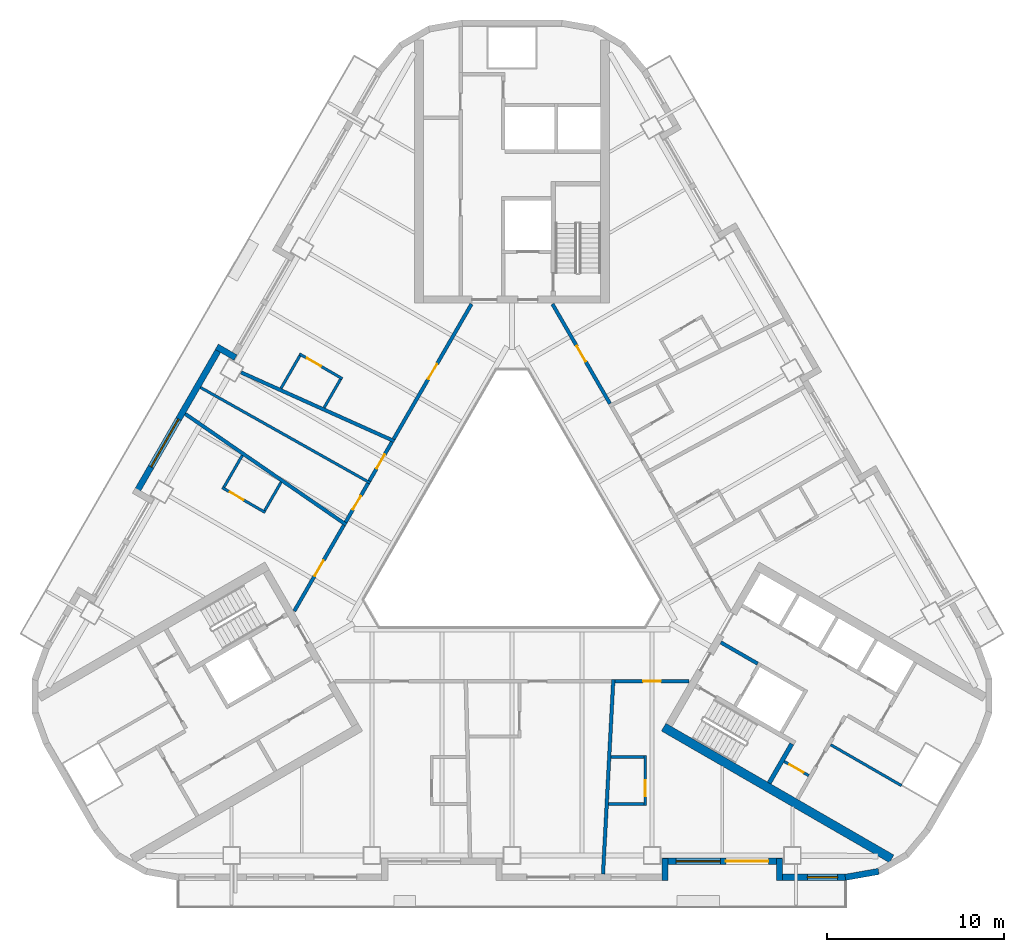
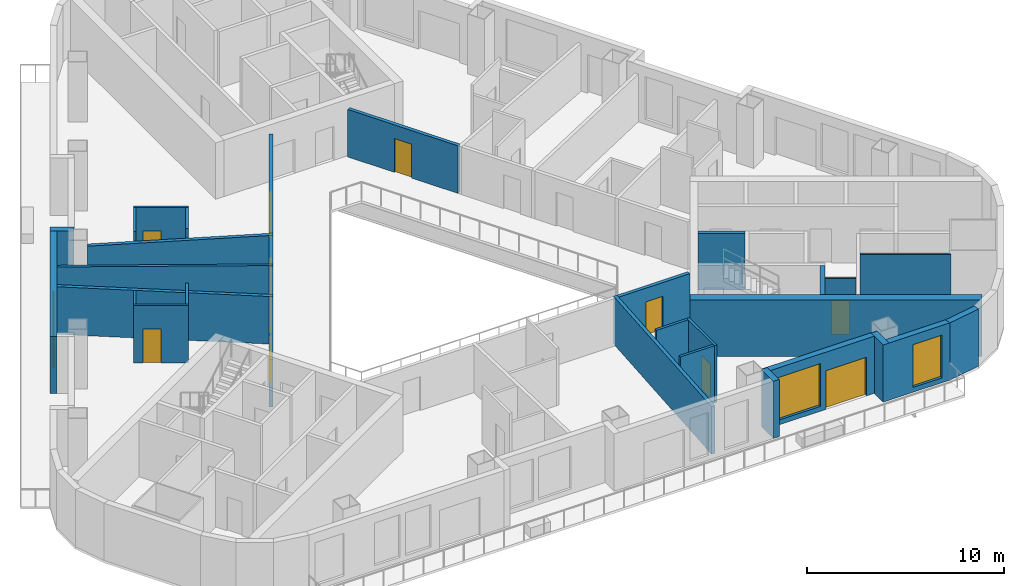
# One storey, part 4 of 13: 31 walls, 11 doors, 3 windows, 14 openings.
"""IFC4 building model written with IfcOpenShell, lengths in metres."""

from ifc_helpers import new_model, si_unit, direction, frame, frame_2d, origin, place, context, subcontext, project, spatial, rectangle, extrude, material, layer, layer_set, type_object, element, fill, save


model = new_model("IFC4")

# Units and contexts
model_context = context("Model", 3, precision=1e-05, world=origin(), true_north=direction((0.0, 1.0)))
body_context = subcontext(model_context, "Body", "Model", "MODEL_VIEW")
ifc_project = project(units=[si_unit("LENGTHUNIT", "METRE"), si_unit("AREAUNIT", "SQUARE_METRE"), si_unit("VOLUMEUNIT", "CUBIC_METRE"), si_unit("PLANEANGLEUNIT", "RADIAN"), si_unit("MASSUNIT", "GRAM", prefix="KILO")], contexts=[model_context])

# Site, building, storey
site_placement = place(None, origin())
site = spatial("IfcSite", under=ifc_project, at=site_placement, CompositionType="ELEMENT")
building_placement = place(site_placement, origin())
building = spatial("IfcBuilding", under=site, at=building_placement, Name="Apuvela Tower Hotel", CompositionType="ELEMENT")
storey_placement = place(building_placement, frame((0.0, 0.0, 79.800048828125)))
storey = spatial("IfcBuildingStorey", under=building, at=storey_placement, Name="L17", CompositionType="ELEMENT", Elevation=79.800048828125)

# Wall
ifc_material_1 = material(Name="Concrete C50/60", Category="concrete")
ifc_layer_1 = layer(ifc_material_1, 0.5)
ifc_layer_set_1 = layer_set([ifc_layer_1], Name="COR-WALL-CORE-500")
wall_type_1 = type_object("IfcWallType", Name="COR-WALL-CORE-500", PredefinedType="SHEAR", material=ifc_layer_set_1)
wall_1_placement = place(storey_placement, frame((8.546630859375, -10.99658203125, 0.0), z_axis=(0.0, 0.0, 1.0), x_axis=(0.866025009528, -0.500000682871, 0.0)))
element("IfcWall", 1, at=wall_1_placement, inside=storey, type_object=wall_type_1, Name="Core wall SE", PredefinedType="SHEAR", context=body_context, shape_type="SweptSolid", body=[
    extrude(rectangle(XDim=14.8369140625, YDim=0.5, at=frame_2d((7.41845703125, 0.0))), origin(), (0.0, 0.0, 1.0), 3.5),
])

# Wall, opening, door
ifc_material_2 = material(Name="Blockwork 150 mm plastered", Category="masonry")
ifc_layer_2 = layer(ifc_material_2, 0.14990234375)
ifc_layer_set_2 = layer_set([ifc_layer_2], Name="COR-WALL-PART-150")
wall_type_2 = type_object("IfcWallType", Name="COR-WALL-PART-150", PredefinedType="PARTITIONING", material=ifc_layer_set_2)
wall_2_placement = place(storey_placement, frame((15.341552734375, -12.927734375, 0.0), z_axis=(0.0, 0.0, 1.0), x_axis=(0.865989903783, -0.500061482766, 0.0)))
wall_2 = element("IfcWall", 2, at=wall_2_placement, inside=storey, type_object=wall_type_2, Name="Partition SE", PredefinedType="PARTITIONING", context=body_context, shape_type="SweptSolid", body=[
    extrude(rectangle(XDim=1.599853515625, YDim=0.14990234375, at=frame_2d((0.7998046875, 0.0))), origin(), (0.0, 0.0, 1.0), 3.5),
])
opening_1_placement = place(wall_2_placement, frame((0.35009765625, 0.0, 0.0)))
opening_1 = element("IfcOpeningElement", 3, at=opening_1_placement, cuts=wall_2, Name="Opening E-RD", PredefinedType="OPENING", context=body_context, shape_type="SweptSolid", body=[
    extrude(rectangle(XDim=0.89990234375, YDim=2.10009765625, at=frame_2d((0.449951171875, 1.050048828125))), frame((0.0, 0.0849609375, 0.0), z_axis=(0.0, -1.0, 0.0), x_axis=(1.0, 0.0, 0.0)), (0.0, 0.0, 1.0), 0.169921875),
])
ifc_material_3 = material(Name="Steel access door, powder coated", Category="steel")
door_type_1 = type_object("IfcDoorType", Name="COR-RD-900", OperationType="NOTDEFINED", PredefinedType="DOOR", material=ifc_material_3)
door_1_placement = place(opening_1_placement, frame((0.89990234375, 0.0, 0.0), z_axis=(0.0, 0.0, 1.0), x_axis=(-1.0, 0.0, 0.0)))
door_1 = element("IfcDoor", 4, at=door_1_placement, inside=storey, type_object=door_type_1, Name="Riser door E-RD", OperationType="SINGLE_SWING_LEFT", OverallHeight=2.10009765625, OverallWidth=0.89990234375, PredefinedType="DOOR", context=body_context, shape_type="SweptSolid", body=[
    extrude(rectangle(XDim=0.89990234375, YDim=2.10009765625, at=frame_2d((0.449951171875, 1.050048828125))), frame((0.0, 0.02490234375, 0.0), z_axis=(0.0, -1.0, 0.0), x_axis=(1.0, 0.0, 0.0)), (0.0, 0.0, 1.0), 0.050048828125),
])
fill(opening_1, door_1)

# Walls
wall_3_placement = place(storey_placement, frame((17.962890625, -11.9873046875, 0.0), z_axis=(0.0, 0.0, 1.0), x_axis=(0.865998608524, -0.500046407882, 0.0)))
element("IfcWall", 5, at=wall_3_placement, inside=storey, type_object=wall_type_2, Name="Partition SE", PredefinedType="PARTITIONING", context=body_context, shape_type="SweptSolid", body=[
    extrude(rectangle(XDim=4.60986328125, YDim=0.14990234375, at=frame_2d((2.304931640625, 0.0))), origin(), (0.0, 0.0, 1.0), 3.5),
])
ifc_layer_3 = layer(ifc_material_1, 0.199951171875)
ifc_layer_set_3 = layer_set([ifc_layer_3], Name="COR-WALL-SHAFT-200")
wall_type_3 = type_object("IfcWallType", Name="COR-WALL-SHAFT-200", PredefinedType="SHEAR", material=ifc_layer_set_3)
wall_4_placement = place(storey_placement, frame((11.76806640625, -6.217041015625, 0.0), z_axis=(0.0, 0.0, 1.0), x_axis=(0.866050077142, -0.499957262057, 0.0)))
element("IfcWall", 6, at=wall_4_placement, inside=storey, type_object=wall_type_3, Name="Shaft wall SE", PredefinedType="SHEAR", context=body_context, shape_type="SweptSolid", body=[
    extrude(rectangle(XDim=2.400146484375, YDim=0.199951171875, at=frame_2d((1.2001953125, 0.0))), origin(), (0.0, 0.0, 1.0), 3.5),
])
ifc_layer_4 = layer(ifc_material_1, 0.25)
ifc_layer_set_4 = layer_set([ifc_layer_4], Name="COR-WALL-STAIR-250")
wall_type_4 = type_object("IfcWallType", Name="COR-WALL-STAIR-250", PredefinedType="SHEAR", material=ifc_layer_set_4)
wall_5_placement = place(storey_placement, frame((14.49560546875, -14.142578125, 0.0), z_axis=(0.0, 0.0, 1.0), x_axis=(0.500062241894, 0.865989465428, 0.0)))
element("IfcWall", 7, at=wall_5_placement, inside=storey, type_object=wall_type_4, Name="Stair wall SE", PredefinedType="SHEAR", context=body_context, shape_type="SweptSolid", body=[
    extrude(rectangle(XDim=2.550048828125, YDim=0.25, at=frame_2d((1.27490234375, 0.0))), origin(), (0.0, 0.0, 1.0), 3.5),
])
ifc_material_4 = material(Name="Concrete C40/50, dark pigmented precast panel", Category="concrete")
ifc_layer_5 = layer(ifc_material_4, 0.35009765625)
ifc_layer_set_5 = layer_set([ifc_layer_5], Name="ENV-WALL-350")
wall_type_5 = type_object("IfcWallType", Name="ENV-WALL-350", PredefinedType="SOLIDWALL", material=ifc_layer_set_5)
wall_6_placement = place(storey_placement, frame((-15.580810546875, 9.8330078125, 0.0), z_axis=(0.0, 0.0, 1.0), x_axis=(-0.866055662726, 0.499947586314, 0.0)))
element("IfcWall", 8, at=wall_6_placement, inside=storey, type_object=wall_type_5, Name="External wall L17-04", PredefinedType="SOLIDWALL", context=body_context, shape_type="SweptSolid", body=[
    extrude(rectangle(XDim=1.220458984375, YDim=0.35009765625, at=frame_2d((0.6103515625, 0.0))), origin(), (0.0, 0.0, 1.0), 3.550048828125),
])

# Wall, opening, window
wall_7_placement = place(storey_placement, frame((-16.3984375, 10.507080078125, 0.0), z_axis=(0.0, 0.0, 1.0), x_axis=(-0.499999142773, -0.866025898704, 0.0)))
wall_7 = element("IfcWall", 9, at=wall_7_placement, inside=storey, type_object=wall_type_5, Name="External wall L17-05", PredefinedType="SOLIDWALL", context=body_context, shape_type="SweptSolid", body=[
    extrude(rectangle(XDim=9.7001953125, YDim=0.35009765625, at=frame_2d((4.85009765625, 0.0))), origin(), (0.0, 0.0, 1.0), 3.550048828125),
])
opening_2_placement = place(wall_7_placement, frame((4.7900390625, 0.0, 0.300048828125)))
opening_2 = element("IfcOpeningElement", 10, at=opening_2_placement, cuts=wall_7, Name="Opening WN31", PredefinedType="OPENING", context=body_context, shape_type="SweptSolid", body=[
    extrude(rectangle(XDim=3.10009765625, YDim=2.64990234375, at=frame_2d((1.550048828125, 1.324951171875))), frame((0.0, 0.18505859375, 0.0), z_axis=(0.0, -1.0, 0.0), x_axis=(1.0, 0.0, 0.0)), (0.0, 0.0, 1.0), 0.3701171875),
])
ifc_material_5 = material(Name="Glass, dark tinted laminated insulated glazing unit", Category="glass")
window_type_1 = type_object("IfcWindowType", Name="ENV-WIN-3100x2650", PartitioningType="SINGLE_PANEL", PredefinedType="WINDOW", material=ifc_material_5)
window_1_placement = place(opening_2_placement, origin())
window_1 = element("IfcWindow", 11, at=window_1_placement, inside=storey, type_object=window_type_1, Name="Window WN31", OverallHeight=2.64990234375, OverallWidth=3.10009765625, PartitioningType="SINGLE_PANEL", PredefinedType="WINDOW", context=body_context, shape_type="SweptSolid", body=[
    extrude(rectangle(XDim=3.10009765625, YDim=2.64990234375, at=frame_2d((1.550048828125, 1.324951171875))), frame((0.0, 0.030029296875, 0.0), z_axis=(0.0, -1.0, 0.0), x_axis=(1.0, 0.0, 0.0)), (0.0, 0.0, 1.0), 0.06005859375),
])
fill(opening_2, window_1)

# Wall
wall_8_placement = place(storey_placement, frame((8.625, -19.6298828125, 0.0), z_axis=(0.0, 0.0, 1.0), x_axis=(0.0, 1.0, 0.0)))
element("IfcWall", 12, at=wall_8_placement, inside=storey, type_object=wall_type_5, Name="External wall L17-22", PredefinedType="SOLIDWALL", context=body_context, shape_type="SweptSolid", body=[
    extrude(rectangle(XDim=1.219970703125, YDim=0.35009765625, at=frame_2d((0.60986328125, 0.0))), origin(), (0.0, 0.0, 1.0), 3.550048828125),
])

# Wall, openings, door, window
wall_9_placement = place(storey_placement, frame((8.47998046875, -18.554931640625, 0.0), z_axis=(0.0, 0.0, 1.0), x_axis=(1.0, 0.0, 0.0)))
wall_9 = element("IfcWall", 13, at=wall_9_placement, inside=storey, type_object=wall_type_5, Name="External wall L17-23", PredefinedType="SOLIDWALL", context=body_context, shape_type="SweptSolid", body=[
    extrude(rectangle(XDim=6.739990234375, YDim=0.35009765625, at=frame_2d((3.3701171875, 0.0))), origin(), (0.0, 0.0, 1.0), 3.550048828125),
])
opening_3_placement = place(wall_9_placement, frame((3.570068359375, 0.0, 0.0)))
opening_3 = element("IfcOpeningElement", 14, at=opening_3_placement, cuts=wall_9, Name="Opening BD24", PredefinedType="OPENING", context=body_context, shape_type="SweptSolid", body=[
    extrude(rectangle(XDim=2.39990234375, YDim=2.39990234375, at=frame_2d((1.199951171875, 1.199951171875))), frame((0.0, 0.18505859375, 0.0), z_axis=(0.0, -1.0, 0.0), x_axis=(1.0, 0.0, 0.0)), (0.0, 0.0, 1.0), 0.3701171875),
])
opening_4_placement = place(wall_9_placement, frame((0.77001953125, 0.0, 0.300048828125)))
opening_4 = element("IfcOpeningElement", 15, at=opening_4_placement, cuts=wall_9, Name="Opening WN25", PredefinedType="OPENING", context=body_context, shape_type="SweptSolid", body=[
    extrude(rectangle(XDim=2.5, YDim=2.64990234375, at=frame_2d((1.25, 1.324951171875))), frame((0.0, 0.18505859375, 0.0), z_axis=(0.0, -1.0, 0.0), x_axis=(1.0, 0.0, 0.0)), (0.0, 0.0, 1.0), 0.3701171875),
])
ifc_material_6 = material(Name="Aluminium 6063-T6, dark bronze anodised frame with dark tinted laminated glass", Category="aluminium")
door_type_2 = type_object("IfcDoorType", Name="ENV-DOOR-BALCONY-2400x2400", OperationType="SLIDING_TO_LEFT", PredefinedType="DOOR", material=ifc_material_6)
door_2_placement = place(opening_3_placement, frame((2.39990234375, 0.0, 0.0), z_axis=(0.0, 0.0, 1.0), x_axis=(-1.0, 0.0, 0.0)))
door_2 = element("IfcDoor", 16, at=door_2_placement, inside=storey, type_object=door_type_2, Name="Balcony door BD24", OperationType="SLIDING_TO_LEFT", OverallHeight=2.39990234375, OverallWidth=2.39990234375, PredefinedType="DOOR", context=body_context, shape_type="SweptSolid", body=[
    extrude(rectangle(XDim=2.39990234375, YDim=2.39990234375, at=frame_2d((1.199951171875, 1.199951171875))), frame((0.0, 0.02490234375, 0.0), z_axis=(0.0, -1.0, 0.0), x_axis=(1.0, 0.0, 0.0)), (0.0, 0.0, 1.0), 0.050048828125),
])
fill(opening_3, door_2)
window_type_2 = type_object("IfcWindowType", Name="ENV-WIN-2500x2650", PartitioningType="SINGLE_PANEL", PredefinedType="WINDOW", material=ifc_material_5)
window_2_placement = place(opening_4_placement, origin())
window_2 = element("IfcWindow", 17, at=window_2_placement, inside=storey, type_object=window_type_2, Name="Window WN25", OverallHeight=2.64990234375, OverallWidth=2.5, PartitioningType="SINGLE_PANEL", PredefinedType="WINDOW", context=body_context, shape_type="SweptSolid", body=[
    extrude(rectangle(XDim=2.5, YDim=2.64990234375, at=frame_2d((1.25, 1.324951171875))), frame((0.0, 0.030029296875, 0.0), z_axis=(0.0, -1.0, 0.0), x_axis=(1.0, 0.0, 0.0)), (0.0, 0.0, 1.0), 0.06005859375),
])
fill(opening_4, window_2)

# Wall
wall_10_placement = place(storey_placement, frame((15.074951171875, -18.409912109375, 0.0), z_axis=(0.0, 0.0, 1.0), x_axis=(0.0, -1.0, 0.0)))
element("IfcWall", 18, at=wall_10_placement, inside=storey, type_object=wall_type_5, Name="External wall L17-24", PredefinedType="SOLIDWALL", context=body_context, shape_type="SweptSolid", body=[
    extrude(rectangle(XDim=1.219970703125, YDim=0.35009765625, at=frame_2d((0.60986328125, 0.0))), origin(), (0.0, 0.0, 1.0), 3.550048828125),
])

# Wall, opening, window
wall_11_placement = place(storey_placement, frame((14.89990234375, -19.455078125, 0.0), z_axis=(0.0, 0.0, 1.0), x_axis=(1.0, 0.0, 0.0)))
wall_11 = element("IfcWall", 19, at=wall_11_placement, inside=storey, type_object=wall_type_5, Name="External wall L17-25", PredefinedType="SOLIDWALL", context=body_context, shape_type="SweptSolid", body=[
    extrude(rectangle(XDim=3.916015625, YDim=0.35009765625, at=frame_2d((1.9580078125, 0.0))), origin(), (0.0, 0.0, 1.0), 3.550048828125),
])
opening_5_placement = place(wall_11_placement, frame((1.749755859375, 0.0, 0.300048828125)))
opening_5 = element("IfcOpeningElement", 20, at=opening_5_placement, cuts=wall_11, Name="Opening WN17", PredefinedType="OPENING", context=body_context, shape_type="SweptSolid", body=[
    extrude(rectangle(XDim=1.699951171875, YDim=2.64990234375, at=frame_2d((0.85009765625, 1.324951171875))), frame((0.0, 0.18505859375, 0.0), z_axis=(0.0, -1.0, 0.0), x_axis=(1.0, 0.0, 0.0)), (0.0, 0.0, 1.0), 0.3701171875),
])
window_type_3 = type_object("IfcWindowType", Name="ENV-WIN-1700x2650", PartitioningType="SINGLE_PANEL", PredefinedType="WINDOW", material=ifc_material_5)
window_3_placement = place(opening_5_placement, origin())
window_3 = element("IfcWindow", 21, at=window_3_placement, inside=storey, type_object=window_type_3, Name="Window WN17", OverallHeight=2.64990234375, OverallWidth=1.699951171875, PartitioningType="SINGLE_PANEL", PredefinedType="WINDOW", context=body_context, shape_type="SweptSolid", body=[
    extrude(rectangle(XDim=1.699951171875, YDim=2.64990234375, at=frame_2d((0.85009765625, 1.324951171875))), frame((0.0, 0.030029296875, 0.0), z_axis=(0.0, -1.0, 0.0), x_axis=(1.0, 0.0, 0.0)), (0.0, 0.0, 1.0), 0.06005859375),
])
fill(opening_5, window_3)

# Walls
wall_12_placement = place(storey_placement, frame((18.785400390625, -19.457763671875, 0.0), z_axis=(0.0, 0.0, 1.0), x_axis=(0.984798995425, 0.173697837091, 0.0)))
element("IfcWall", 22, at=wall_12_placement, inside=storey, type_object=wall_type_5, Name="External wall L17-26", PredefinedType="SOLIDWALL", context=body_context, shape_type="SweptSolid", body=[
    extrude(rectangle(XDim=1.91015625, YDim=0.35009765625, at=frame_2d((0.955078125, 0.0))), origin(), (0.0, 0.0, 1.0), 3.550048828125),
])
ifc_material_7 = material(Name="Gypsum board partition on twin steel stud", Category="steel")
ifc_layer_6 = layer(ifc_material_7, 0.199951171875)
ifc_layer_set_6 = layer_set([ifc_layer_6], Name="GST-PW1")
wall_type_6 = type_object("IfcWallType", Name="GST-PW1", PredefinedType="PARTITIONING", material=ifc_layer_set_6)
wall_13_placement = place(storey_placement, frame((5.1298828125, -19.280029296875, 0.0), z_axis=(0.0, 0.0, 1.0), x_axis=(0.052823378142, 0.998603870772, 0.0)))
element("IfcWall", 23, at=wall_13_placement, inside=storey, type_object=wall_type_6, Name="L17 partition 02", PredefinedType="PARTITIONING", context=body_context, shape_type="SweptSolid", body=[
    extrude(rectangle(XDim=10.995361328125, YDim=0.199951171875, at=frame_2d((5.49755859375, 0.0))), origin(), (0.0, 0.0, 1.0), 2.9599609375),
])
wall_14_placement = place(storey_placement, frame((-15.275390625, 9.001953125, 0.0), z_axis=(0.0, 0.0, 1.0), x_axis=(0.912310970981, -0.409498097954, 0.0)))
element("IfcWall", 24, at=wall_14_placement, inside=storey, type_object=wall_type_6, Name="L17 partition 06", PredefinedType="PARTITIONING", context=body_context, shape_type="SweptSolid", body=[
    extrude(rectangle(XDim=9.47900390625, YDim=0.199951171875, at=frame_2d((4.739501953125, 0.0))), origin(), (0.0, 0.0, 1.0), 2.949951171875),
])
wall_15_placement = place(storey_placement, frame((-18.4169921875, 6.660888671875, 0.0), z_axis=(0.0, 0.0, 1.0), x_axis=(0.823524858714, -0.56728018393, 0.0)))
element("IfcWall", 25, at=wall_15_placement, inside=storey, type_object=wall_type_6, Name="L17 partition 07", PredefinedType="PARTITIONING", context=body_context, shape_type="SweptSolid", body=[
    extrude(rectangle(XDim=11.014892578125, YDim=0.199951171875, at=frame_2d((5.50732421875, 0.0))), origin(), (0.0, 0.0, 1.0), 2.949951171875),
])

# Wall, opening, door
ifc_material_8 = material(Name="Gypsum board corridor wall on twin steel stud, acoustic", Category="steel")
ifc_layer_7 = layer(ifc_material_8, 0.199951171875)
ifc_layer_set_7 = layer_set([ifc_layer_7], Name="GST-PW2")
wall_type_7 = type_object("IfcWallType", Name="GST-PW2", PredefinedType="PARTITIONING", material=ifc_layer_set_7)
wall_16_placement = place(storey_placement, frame((9.98828125, -8.39990234375, 0.0), z_axis=(0.0, 0.0, 1.0), x_axis=(-1.0, 0.0, 0.0)))
wall_16 = element("IfcWall", 26, at=wall_16_placement, inside=storey, type_object=wall_type_7, Name="L17 partition 15", PredefinedType="PARTITIONING", context=body_context, shape_type="SweptSolid", body=[
    extrude(rectangle(XDim=4.182861328125, YDim=0.199951171875, at=frame_2d((2.09130859375, 0.0))), origin(), (0.0, 0.0, 1.0), 2.949951171875),
])
opening_6_placement = place(wall_16_placement, frame((1.59130859375, 0.0, 0.0)))
opening_6 = element("IfcOpeningElement", 27, at=opening_6_placement, cuts=wall_16, Name="Opening GD05-06", PredefinedType="OPENING", context=body_context, shape_type="SweptSolid", body=[
    extrude(rectangle(XDim=1.0, YDim=2.10009765625, at=frame_2d((0.5, 1.050048828125))), frame((0.0, 0.10986328125, 0.0), z_axis=(0.0, -1.0, 0.0), x_axis=(1.0, 0.0, 0.0)), (0.0, 0.0, 1.0), 0.219970703125),
])
ifc_material_9 = material(Name="Timber door leaf in steel frame", Category="steel")
door_type_3 = type_object("IfcDoorType", Name="GST-D1", OperationType="NOTDEFINED", PredefinedType="DOOR", material=ifc_material_9)
door_3_placement = place(opening_6_placement, origin())
door_3 = element("IfcDoor", 28, at=door_3_placement, inside=storey, type_object=door_type_3, Name="Door L17-06", OperationType="SINGLE_SWING_RIGHT", OverallHeight=2.10009765625, OverallWidth=1.0, PredefinedType="DOOR", context=body_context, shape_type="SweptSolid", body=[
    extrude(rectangle(XDim=1.0, YDim=2.10009765625, at=frame_2d((0.5, 1.050048828125))), frame((0.0, 0.02490234375, 0.0), z_axis=(0.0, -1.0, 0.0), x_axis=(1.0, 0.0, 0.0)), (0.0, 0.0, 1.0), 0.050048828125),
])
fill(opening_6, door_3)

wall_17_placement = place(storey_placement, frame((2.280517578125, 12.85009765625, 0.0), z_axis=(0.0, 0.0, 1.0), x_axis=(0.500015893381, -0.866016227542, 0.0)))
wall_17 = element("IfcWall", 29, at=wall_17_placement, inside=storey, type_object=wall_type_7, Name="L17 partition 29", PredefinedType="PARTITIONING", context=body_context, shape_type="SweptSolid", body=[
    extrude(rectangle(XDim=6.481689453125, YDim=0.199951171875, at=frame_2d((3.24072265625, 0.0))), origin(), (0.0, 0.0, 1.0), 2.949951171875),
])
opening_7_placement = place(wall_17_placement, frame((2.74072265625, 0.0, 0.0)))
opening_7 = element("IfcOpeningElement", 30, at=opening_7_placement, cuts=wall_17, Name="Opening GD05-14", PredefinedType="OPENING", context=body_context, shape_type="SweptSolid", body=[
    extrude(rectangle(XDim=1.0, YDim=2.10009765625, at=frame_2d((0.5, 1.050048828125))), frame((0.0, 0.10986328125, 0.0), z_axis=(0.0, -1.0, 0.0), x_axis=(1.0, 0.0, 0.0)), (0.0, 0.0, 1.0), 0.219970703125),
])
door_4_placement = place(opening_7_placement, origin())
door_4 = element("IfcDoor", 31, at=door_4_placement, inside=storey, type_object=door_type_3, Name="Door L17-14", OperationType="SINGLE_SWING_RIGHT", OverallHeight=2.10009765625, OverallWidth=1.0, PredefinedType="DOOR", context=body_context, shape_type="SweptSolid", body=[
    extrude(rectangle(XDim=1.0, YDim=2.10009765625, at=frame_2d((0.5, 1.050048828125))), frame((0.0, 0.02490234375, 0.0), z_axis=(0.0, -1.0, 0.0), x_axis=(1.0, 0.0, 0.0)), (0.0, 0.0, 1.0), 0.050048828125),
])
fill(opening_7, door_4)

wall_18_placement = place(storey_placement, frame((-6.669189453125, 5.24853515625, 0.0), z_axis=(0.0, 0.0, 1.0), x_axis=(0.499992114976, 0.866029956157, 0.0)))
wall_18 = element("IfcWall", 32, at=wall_18_placement, inside=storey, type_object=wall_type_7, Name="L17 partition 33", PredefinedType="PARTITIONING", context=body_context, shape_type="SweptSolid", body=[
    extrude(rectangle(XDim=8.777587890625, YDim=0.199951171875, at=frame_2d((4.388671875, 0.0))), origin(), (0.0, 0.0, 1.0), 2.949951171875),
])
opening_8_placement = place(wall_18_placement, frame((3.888916015625, 0.0, 0.0)))
opening_8 = element("IfcOpeningElement", 33, at=opening_8_placement, cuts=wall_18, Name="Opening GD05-16", PredefinedType="OPENING", context=body_context, shape_type="SweptSolid", body=[
    extrude(rectangle(XDim=1.0, YDim=2.10009765625, at=frame_2d((0.5, 1.050048828125))), frame((0.0, 0.10986328125, 0.0), z_axis=(0.0, -1.0, 0.0), x_axis=(1.0, 0.0, 0.0)), (0.0, 0.0, 1.0), 0.219970703125),
])
door_5_placement = place(opening_8_placement, origin())
door_5 = element("IfcDoor", 34, at=door_5_placement, inside=storey, type_object=door_type_3, Name="Door L17-16", OperationType="SINGLE_SWING_LEFT", OverallHeight=2.10009765625, OverallWidth=1.0, PredefinedType="DOOR", context=body_context, shape_type="SweptSolid", body=[
    extrude(rectangle(XDim=1.0, YDim=2.10009765625, at=frame_2d((0.5, 1.050048828125))), frame((0.0, 0.02490234375, 0.0), z_axis=(0.0, -1.0, 0.0), x_axis=(1.0, 0.0, 0.0)), (0.0, 0.0, 1.0), 0.050048828125),
])
fill(opening_8, door_5)

wall_19_placement = place(storey_placement, frame((-8.03662109375, 2.88037109375, 0.0), z_axis=(0.0, 0.0, 1.0), x_axis=(0.500025521233, 0.866010668592, 0.0)))
wall_19 = element("IfcWall", 35, at=wall_19_placement, inside=storey, type_object=wall_type_7, Name="L17 partition 38", PredefinedType="PARTITIONING", context=body_context, shape_type="SweptSolid", body=[
    extrude(rectangle(XDim=2.533447265625, YDim=0.199951171875, at=frame_2d((1.2666015625, 0.0))), origin(), (0.0, 0.0, 1.0), 2.949951171875),
])
opening_9_placement = place(wall_19_placement, frame((0.81689453125, 0.0, 0.0)))
opening_9 = element("IfcOpeningElement", 36, at=opening_9_placement, cuts=wall_19, Name="Opening GD05-17", PredefinedType="OPENING", context=body_context, shape_type="SweptSolid", body=[
    extrude(rectangle(XDim=0.89990234375, YDim=2.10009765625, at=frame_2d((0.449951171875, 1.050048828125))), frame((0.0, 0.10986328125, 0.0), z_axis=(0.0, -1.0, 0.0), x_axis=(1.0, 0.0, 0.0)), (0.0, 0.0, 1.0), 0.219970703125),
])
door_type_4 = type_object("IfcDoorType", Name="GST-D2", OperationType="NOTDEFINED", PredefinedType="DOOR", material=ifc_material_9)
door_6_placement = place(opening_9_placement, origin())
door_6 = element("IfcDoor", 37, at=door_6_placement, inside=storey, type_object=door_type_4, Name="Door L17-17", OperationType="SINGLE_SWING_LEFT", OverallHeight=2.10009765625, OverallWidth=0.89990234375, PredefinedType="DOOR", context=body_context, shape_type="SweptSolid", body=[
    extrude(rectangle(XDim=0.89990234375, YDim=2.10009765625, at=frame_2d((0.449951171875, 1.050048828125))), frame((0.0, 0.02490234375, 0.0), z_axis=(0.0, -1.0, 0.0), x_axis=(1.0, 0.0, 0.0)), (0.0, 0.0, 1.0), 0.050048828125),
])
fill(opening_9, door_6)

wall_20_placement = place(storey_placement, frame((-9.37841796875, 0.55615234375, 0.0), z_axis=(0.0, 0.0, 1.0), x_axis=(0.499983796486, 0.866034758685, 0.0)))
wall_20 = element("IfcWall", 38, at=wall_20_placement, inside=storey, type_object=wall_type_7, Name="L17 partition 39", PredefinedType="PARTITIONING", context=body_context, shape_type="SweptSolid", body=[
    extrude(rectangle(XDim=2.53369140625, YDim=0.199951171875, at=frame_2d((1.266845703125, 0.0))), origin(), (0.0, 0.0, 1.0), 2.949951171875),
])
opening_10_placement = place(wall_20_placement, frame((0.81689453125, 0.0, 0.0)))
opening_10 = element("IfcOpeningElement", 39, at=opening_10_placement, cuts=wall_20, Name="Opening GD05-18", PredefinedType="OPENING", context=body_context, shape_type="SweptSolid", body=[
    extrude(rectangle(XDim=0.89990234375, YDim=2.10009765625, at=frame_2d((0.449951171875, 1.050048828125))), frame((0.0, 0.10986328125, 0.0), z_axis=(0.0, -1.0, 0.0), x_axis=(1.0, 0.0, 0.0)), (0.0, 0.0, 1.0), 0.219970703125),
])
door_7_placement = place(opening_10_placement, origin())
door_7 = element("IfcDoor", 40, at=door_7_placement, inside=storey, type_object=door_type_4, Name="Door L17-18", OperationType="SINGLE_SWING_RIGHT", OverallHeight=2.10009765625, OverallWidth=0.89990234375, PredefinedType="DOOR", context=body_context, shape_type="SweptSolid", body=[
    extrude(rectangle(XDim=0.89990234375, YDim=2.10009765625, at=frame_2d((0.449951171875, 1.050048828125))), frame((0.0, 0.02490234375, 0.0), z_axis=(0.0, -1.0, 0.0), x_axis=(1.0, 0.0, 0.0)), (0.0, 0.0, 1.0), 0.050048828125),
])
fill(opening_10, door_7)

wall_21_placement = place(storey_placement, frame((-12.268798828125, -4.449951171875, 0.0), z_axis=(0.0, 0.0, 1.0), x_axis=(0.500016608416, 0.866015814699, 0.0)))
wall_21 = element("IfcWall", 41, at=wall_21_placement, inside=storey, type_object=wall_type_7, Name="L17 partition 40", PredefinedType="PARTITIONING", context=body_context, shape_type="SweptSolid", body=[
    extrude(rectangle(XDim=5.579833984375, YDim=0.199951171875, at=frame_2d((2.7900390625, 0.0))), origin(), (0.0, 0.0, 1.0), 2.949951171875),
])
opening_11_placement = place(wall_21_placement, frame((2.289794921875, 0.0, 0.0)))
opening_11 = element("IfcOpeningElement", 42, at=opening_11_placement, cuts=wall_21, Name="Opening GD05-20", PredefinedType="OPENING", context=body_context, shape_type="SweptSolid", body=[
    extrude(rectangle(XDim=1.0, YDim=2.10009765625, at=frame_2d((0.5, 1.050048828125))), frame((0.0, 0.10986328125, 0.0), z_axis=(0.0, -1.0, 0.0), x_axis=(1.0, 0.0, 0.0)), (0.0, 0.0, 1.0), 0.219970703125),
])
door_8_placement = place(opening_11_placement, origin())
door_8 = element("IfcDoor", 43, at=door_8_placement, inside=storey, type_object=door_type_3, Name="Door L17-20", OperationType="SINGLE_SWING_RIGHT", OverallHeight=2.10009765625, OverallWidth=1.0, PredefinedType="DOOR", context=body_context, shape_type="SweptSolid", body=[
    extrude(rectangle(XDim=1.0, YDim=2.10009765625, at=frame_2d((0.5, 1.050048828125))), frame((0.0, 0.02490234375, 0.0), z_axis=(0.0, -1.0, 0.0), x_axis=(1.0, 0.0, 0.0)), (0.0, 0.0, 1.0), 0.050048828125),
])
fill(opening_11, door_8)

ifc_material_10 = material(Name="Moisture-resistant gypsum board wet wall on steel stud", Category="steel")
ifc_layer_8 = layer(ifc_material_10, 0.14990234375)
ifc_layer_set_8 = layer_set([ifc_layer_8], Name="GST-PW3")
wall_type_8 = type_object("IfcWallType", Name="GST-PW3", PredefinedType="PARTITIONING", material=ifc_layer_set_8)
wall_22_placement = place(storey_placement, frame((7.50830078125, -15.39990234375, 0.0), z_axis=(0.0, 0.0, 1.0), x_axis=(0.0, 1.0, 0.0)))
wall_22 = element("IfcWall", 44, at=wall_22_placement, inside=storey, type_object=wall_type_8, Name="L17 partition 16", PredefinedType="PARTITIONING", context=body_context, shape_type="SweptSolid", body=[
    extrude(rectangle(XDim=2.7998046875, YDim=0.14990234375, at=frame_2d((1.39990234375, 0.0))), origin(), (0.0, 0.0, 1.0), 3.550048828125),
])
opening_12_placement = place(wall_22_placement, frame((0.5, 0.0, 0.0)))
opening_12 = element("IfcOpeningElement", 45, at=opening_12_placement, cuts=wall_22, Name="Opening GD05-05", PredefinedType="OPENING", context=body_context, shape_type="SweptSolid", body=[
    extrude(rectangle(XDim=0.89990234375, YDim=2.10009765625, at=frame_2d((0.449951171875, 1.050048828125))), frame((0.0, 0.0849609375, 0.0), z_axis=(0.0, -1.0, 0.0), x_axis=(1.0, 0.0, 0.0)), (0.0, 0.0, 1.0), 0.169921875),
])
door_9_placement = place(opening_12_placement, origin())
door_9 = element("IfcDoor", 46, at=door_9_placement, inside=storey, type_object=door_type_4, Name="Door L17-05", OperationType="SINGLE_SWING_LEFT", OverallHeight=2.10009765625, OverallWidth=0.89990234375, PredefinedType="DOOR", context=body_context, shape_type="SweptSolid", body=[
    extrude(rectangle(XDim=0.89990234375, YDim=2.10009765625, at=frame_2d((0.449951171875, 1.050048828125))), frame((0.0, 0.02490234375, 0.0), z_axis=(0.0, -1.0, 0.0), x_axis=(1.0, 0.0, 0.0)), (0.0, 0.0, 1.0), 0.050048828125),
])
fill(opening_12, door_9)

# Walls
wall_23_placement = place(storey_placement, frame((5.439208984375, -15.324951171875, 0.0), z_axis=(0.0, 0.0, 1.0), x_axis=(1.0, 0.0, 0.0)))
element("IfcWall", 47, at=wall_23_placement, inside=storey, type_object=wall_type_8, Name="L17 partition 17", PredefinedType="PARTITIONING", context=body_context, shape_type="SweptSolid", body=[
    extrude(rectangle(XDim=1.994140625, YDim=0.14990234375, at=frame_2d((0.9970703125, 0.0))), origin(), (0.0, 0.0, 1.0), 3.550048828125),
])
wall_24_placement = place(storey_placement, frame((5.579345703125, -12.675048828125, 0.0), z_axis=(0.0, 0.0, 1.0), x_axis=(1.0, 0.0, 0.0)))
element("IfcWall", 48, at=wall_24_placement, inside=storey, type_object=wall_type_8, Name="L17 partition 18", PredefinedType="PARTITIONING", context=body_context, shape_type="SweptSolid", body=[
    extrude(rectangle(XDim=1.85400390625, YDim=0.14990234375, at=frame_2d((0.927001953125, 0.0))), origin(), (0.0, 0.0, 1.0), 3.550048828125),
])

# Wall, opening, door
wall_25_placement = place(storey_placement, frame((-9.558349609375, 8.64453125, 0.0), z_axis=(0.0, 0.0, 1.0), x_axis=(-0.866034573852, 0.49998411664, 0.0)))
wall_25 = element("IfcWall", 49, at=wall_25_placement, inside=storey, type_object=wall_type_8, Name="L17 partition 34", PredefinedType="PARTITIONING", context=body_context, shape_type="SweptSolid", body=[
    extrude(rectangle(XDim=2.7998046875, YDim=0.14990234375, at=frame_2d((1.39990234375, 0.0))), origin(), (0.0, 0.0, 1.0), 3.550048828125),
])
opening_13_placement = place(wall_25_placement, frame((1.39990234375, 0.0, 0.0)))
opening_13 = element("IfcOpeningElement", 50, at=opening_13_placement, cuts=wall_25, Name="Opening GD05-15", PredefinedType="OPENING", context=body_context, shape_type="SweptSolid", body=[
    extrude(rectangle(XDim=0.89990234375, YDim=2.10009765625, at=frame_2d((0.449951171875, 1.050048828125))), frame((0.0, 0.0849609375, 0.0), z_axis=(0.0, -1.0, 0.0), x_axis=(1.0, 0.0, 0.0)), (0.0, 0.0, 1.0), 0.169921875),
])
door_10_placement = place(opening_13_placement, origin())
door_10 = element("IfcDoor", 51, at=door_10_placement, inside=storey, type_object=door_type_4, Name="Door L17-15", OperationType="SINGLE_SWING_RIGHT", OverallHeight=2.10009765625, OverallWidth=0.89990234375, PredefinedType="DOOR", context=body_context, shape_type="SweptSolid", body=[
    extrude(rectangle(XDim=0.89990234375, YDim=2.10009765625, at=frame_2d((0.449951171875, 1.050048828125))), frame((0.0, 0.02490234375, 0.0), z_axis=(0.0, -1.0, 0.0), x_axis=(1.0, 0.0, 0.0)), (0.0, 0.0, 1.0), 0.050048828125),
])
fill(opening_13, door_10)

# Walls
wall_26_placement = place(storey_placement, frame((-11.955810546875, 9.94189453125, 0.0), z_axis=(0.0, 0.0, 1.0), x_axis=(-0.50001378257, -0.866017446268, 0.0)))
element("IfcWall", 52, at=wall_26_placement, inside=storey, type_object=wall_type_8, Name="L17 partition 35", PredefinedType="PARTITIONING", context=body_context, shape_type="SweptSolid", body=[
    extrude(rectangle(XDim=2.1279296875, YDim=0.14990234375, at=frame_2d((1.06396484375, 0.0))), origin(), (0.0, 0.0, 1.0), 3.550048828125),
])
wall_27_placement = place(storey_placement, frame((-9.660888671875, 8.616943359375, 0.0), z_axis=(0.0, 0.0, 1.0), x_axis=(-0.499984136491, -0.866034562392, 0.0)))
element("IfcWall", 53, at=wall_27_placement, inside=storey, type_object=wall_type_8, Name="L17 partition 36", PredefinedType="PARTITIONING", context=body_context, shape_type="SweptSolid", body=[
    extrude(rectangle(XDim=1.857421875, YDim=0.14990234375, at=frame_2d((0.9287109375, 0.0))), origin(), (0.0, 0.0, 1.0), 3.550048828125),
])
wall_28_placement = place(storey_placement, frame((-17.556884765625, 8.150390625, 0.0), z_axis=(0.0, 0.0, 1.0), x_axis=(0.87154168957, -0.490321408202, 0.0)))
element("IfcWall", 54, at=wall_28_placement, inside=storey, type_object=wall_type_8, Name="L17 partition 37", PredefinedType="PARTITIONING", context=body_context, shape_type="SweptSolid", body=[
    extrude(rectangle(XDim=10.980712890625, YDim=0.14990234375, at=frame_2d((5.490234375, 0.0))), origin(), (0.0, 0.0, 1.0), 2.9599609375),
])

# Wall, opening, door
wall_29_placement = place(storey_placement, frame((-16.3359375, 2.50537109375, 0.0), z_axis=(0.0, 0.0, 1.0), x_axis=(0.866056369097, -0.49994636267, 0.0)))
wall_29 = element("IfcWall", 55, at=wall_29_placement, inside=storey, type_object=wall_type_8, Name="L17 partition 41", PredefinedType="PARTITIONING", context=body_context, shape_type="SweptSolid", body=[
    extrude(rectangle(XDim=2.800048828125, YDim=0.14990234375, at=frame_2d((1.39990234375, 0.0))), origin(), (0.0, 0.0, 1.0), 3.550048828125),
])
opening_14_placement = place(wall_29_placement, frame((0.5, 0.0, 0.0)))
opening_14 = element("IfcOpeningElement", 56, at=opening_14_placement, cuts=wall_29, Name="Opening GD05-19", PredefinedType="OPENING", context=body_context, shape_type="SweptSolid", body=[
    extrude(rectangle(XDim=0.89990234375, YDim=2.10009765625, at=frame_2d((0.449951171875, 1.050048828125))), frame((0.0, 0.0849609375, 0.0), z_axis=(0.0, -1.0, 0.0), x_axis=(1.0, 0.0, 0.0)), (0.0, 0.0, 1.0), 0.169921875),
])
door_11_placement = place(opening_14_placement, origin())
door_11 = element("IfcDoor", 57, at=door_11_placement, inside=storey, type_object=door_type_4, Name="Door L17-19", OperationType="SINGLE_SWING_LEFT", OverallHeight=2.10009765625, OverallWidth=0.89990234375, PredefinedType="DOOR", context=body_context, shape_type="SweptSolid", body=[
    extrude(rectangle(XDim=0.89990234375, YDim=2.10009765625, at=frame_2d((0.449951171875, 1.050048828125))), frame((0.0, 0.02490234375, 0.0), z_axis=(0.0, -1.0, 0.0), x_axis=(1.0, 0.0, 0.0)), (0.0, 0.0, 1.0), 0.050048828125),
])
fill(opening_14, door_11)

# Walls
wall_30_placement = place(storey_placement, frame((-15.19970703125, 4.3232421875, 0.0), z_axis=(0.0, 0.0, 1.0), x_axis=(-0.499974592989, -0.866040072032, 0.0)))
element("IfcWall", 58, at=wall_30_placement, inside=storey, type_object=wall_type_8, Name="L17 partition 42", PredefinedType="PARTITIONING", context=body_context, shape_type="SweptSolid", body=[
    extrude(rectangle(XDim=2.0673828125, YDim=0.14990234375, at=frame_2d((1.03369140625, 0.0))), origin(), (0.0, 0.0, 1.0), 2.949951171875),
])
wall_31_placement = place(storey_placement, frame((-13.010498046875, 2.815185546875, 0.0), z_axis=(0.0, 0.0, 1.0), x_axis=(-0.499972951856, -0.866041019474, 0.0)))
element("IfcWall", 59, at=wall_31_placement, inside=storey, type_object=wall_type_8, Name="L17 partition 43", PredefinedType="PARTITIONING", context=body_context, shape_type="SweptSolid", body=[
    extrude(rectangle(XDim=1.85595703125, YDim=0.14990234375, at=frame_2d((0.927978515625, 0.0))), origin(), (0.0, 0.0, 1.0), 3.550048828125),
])

save(model, "model.ifc")
